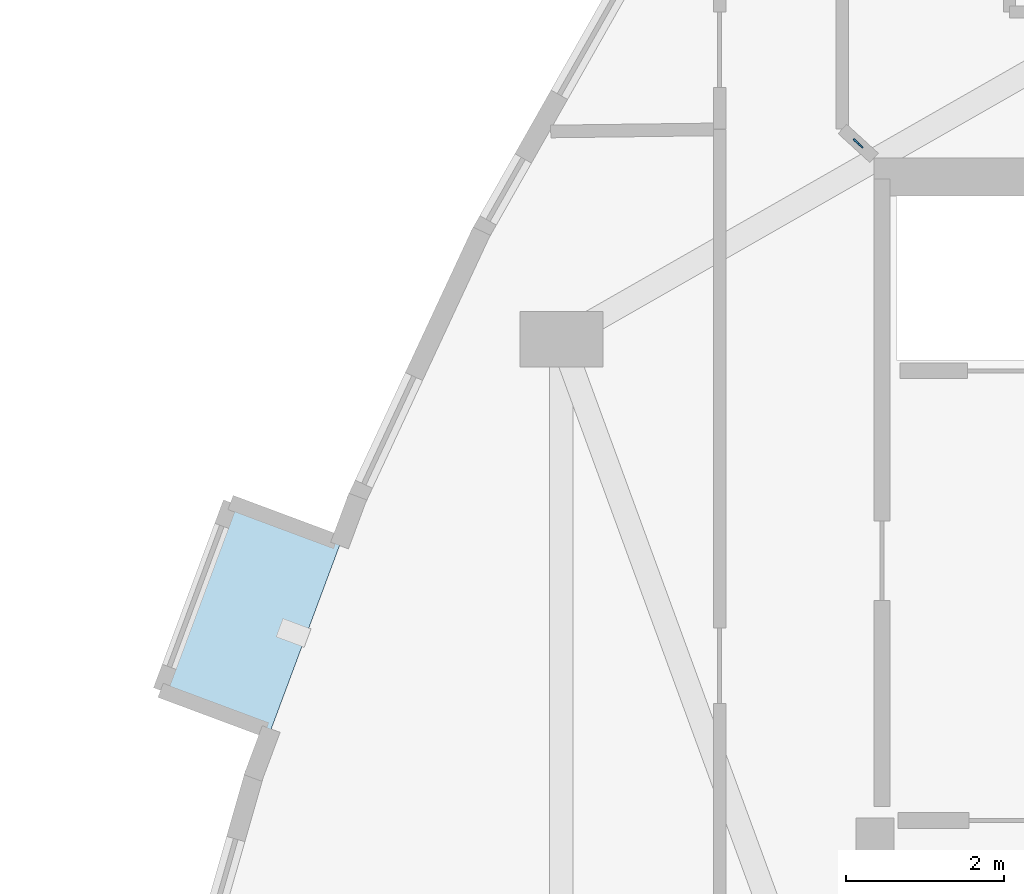
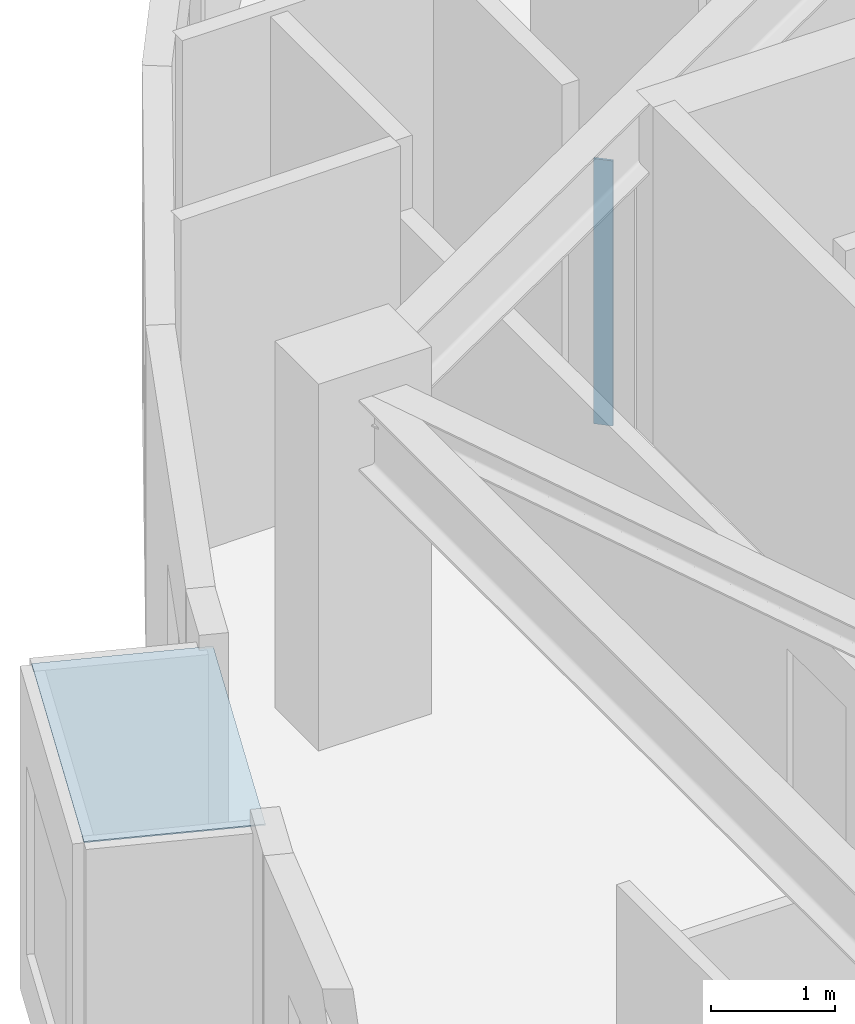
# One storey, part 3 of 12: 2 plates.
"""IFC4 building model written with IfcOpenShell, lengths in metres."""

from ifc_helpers import new_model, si_unit, direction, frame, origin, origin_2d, place, context, subcontext, project, spatial, polyline, rectangle, outline, extrude, material, layer, layer_set, type_object, element, save


model = new_model("IFC4")

# Units and contexts
model_context = context("Model", 3, precision=1e-05, world=origin(), true_north=direction((0.0, 1.0)))
body_context = subcontext(model_context, "Body", "Model", "MODEL_VIEW")
ifc_project = project(units=[si_unit("LENGTHUNIT", "METRE"), si_unit("AREAUNIT", "SQUARE_METRE"), si_unit("VOLUMEUNIT", "CUBIC_METRE"), si_unit("PLANEANGLEUNIT", "RADIAN"), si_unit("MASSUNIT", "GRAM", prefix="KILO")], contexts=[model_context])

# Site, building, storey
site_placement = place(None, origin())
site = spatial("IfcSite", under=ifc_project, at=site_placement, CompositionType="ELEMENT")
building_placement = place(site_placement, origin())
building = spatial("IfcBuilding", under=site, at=building_placement, Name="Miruveldt Soraemaru", CompositionType="ELEMENT")
storey_placement = place(building_placement, frame((0.0, 0.0, 248.39990234375)))
storey = spatial("IfcBuildingStorey", under=building, at=storey_placement, Name="L68", CompositionType="ELEMENT", Elevation=248.39990234375)

# Plates
ifc_material_1 = material(Name="Anodised aluminium EN AW-6063 T6", Category="aluminium")
ifc_layer_1 = layer(ifc_material_1, 0.02001953125, Name="Anodised aluminium EN AW-6063 T6", Category="aluminium")
ifc_layer_set_1 = layer_set([ifc_layer_1], Name="Anodised aluminium EN AW-6063 T6")
plate_type_1 = type_object("IfcPlateType", Name="PLT-PART-TRIM", PredefinedType="SHEET", material=ifc_layer_set_1)
plate_1_placement = place(storey_placement, frame((35.14990234375, 52.87255859375, 0.0), z_axis=(0.0, 0.0, 1.0), x_axis=(0.738690671568, -0.674044576967, 0.0)))
element("IfcPlate", 1, at=plate_1_placement, inside=storey, type_object=plate_type_1, Name="L68 Partition Step Corner Trim Plate 001", PredefinedType="SHEET", context=body_context, shape_type="SweptSolid", body=[
    extrude(rectangle(XDim=0.159912109375, YDim=0.02001953125, at=origin_2d()), origin(), (0.0, 0.0, 1.0), 2.60302734375),
])
ifc_material_2 = material(Name="Standing-seam titanium-zinc sheet", Category="aluminium")
ifc_layer_2 = layer(ifc_material_2, 0.011962890625, Name="Standing-seam titanium-zinc sheet", Category="aluminium")
ifc_layer_set_2 = layer_set([ifc_layer_2], Name="Standing-seam titanium-zinc sheet")
plate_type_2 = type_object("IfcPlateType", Name="PLT-ZINC-12", PredefinedType="SHEET", material=ifc_layer_set_2)
plate_2_placement = place(storey_placement, frame((0.0, 0.0, 3.1650390625)))
element("IfcPlate", 2, at=plate_2_placement, inside=storey, type_object=plate_type_2, Name="L68 Bay Window Zinc Hood Sheet 3", PredefinedType="SHEET", context=body_context, shape_type="SweptSolid", body=[
    extrude(outline(polyline([(28.60888671875, 47.820556640625), (27.72509765625, 45.44775390625), (26.338134765625, 45.96435546875), (27.221923828125, 48.337158203125), (28.60888671875, 47.820556640625)])), origin(), (0.0, 0.0, 1.0), 0.011962890625),
])

save(model, "model.ifc")
